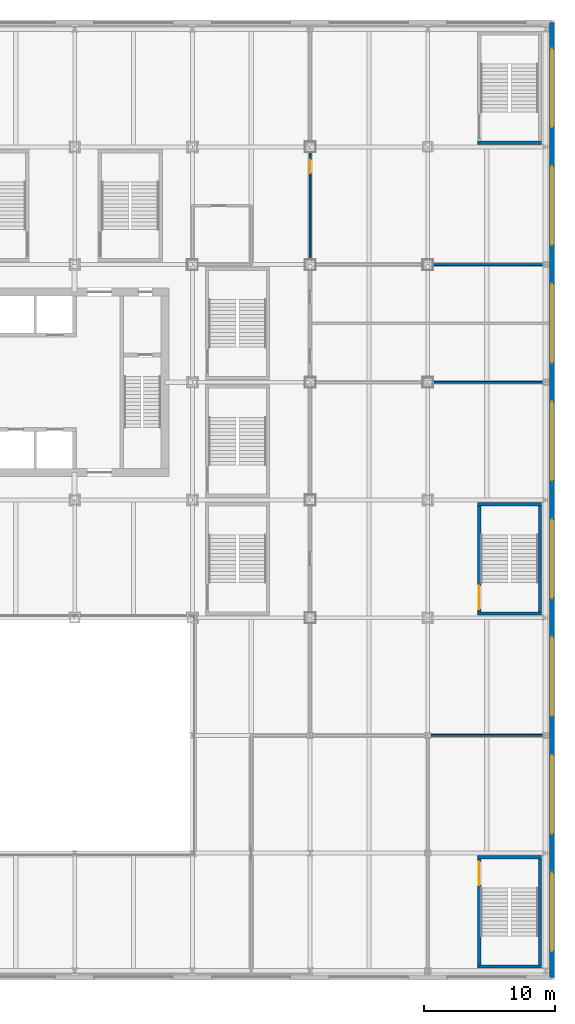
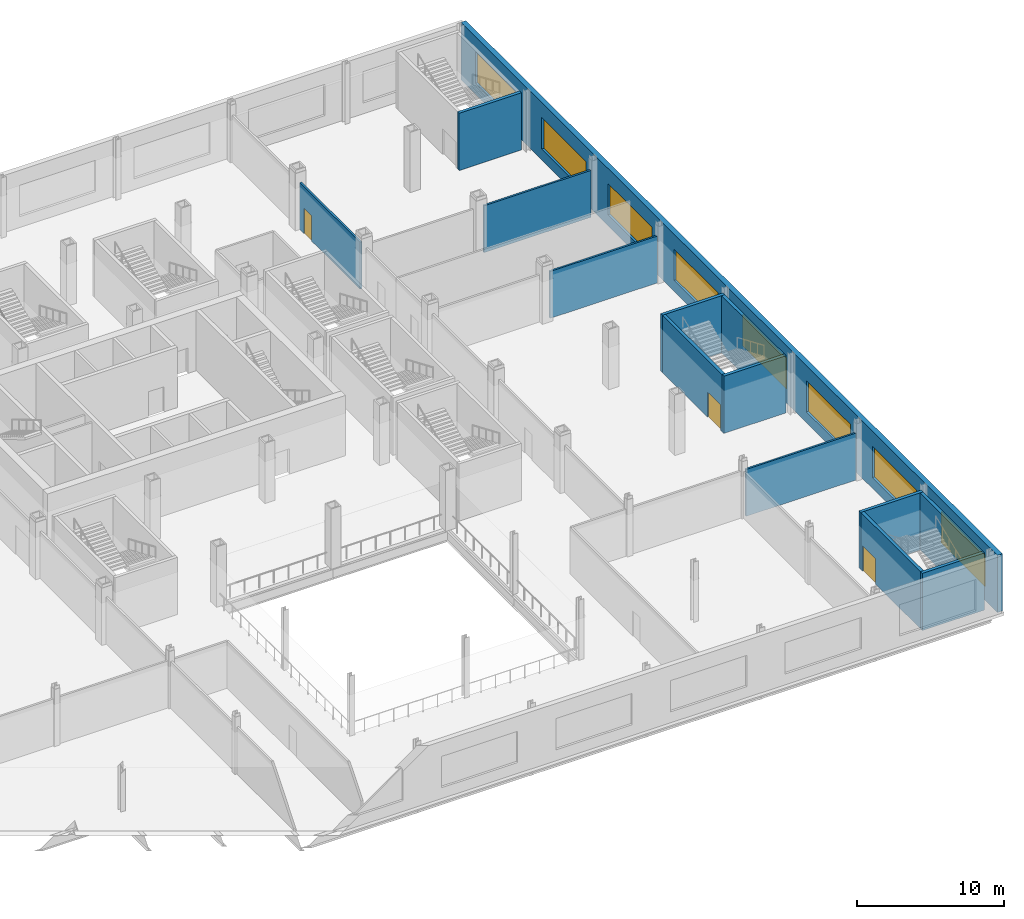
# One storey, part 14 of 31: 14 walls, 8 windows, 3 doors, 11 openings.
"""IFC4 building model written with IfcOpenShell, lengths in metres."""

from ifc_helpers import new_model, si_unit, direction, frame, frame_2d, origin, place, context, subcontext, project, spatial, rectangle, extrude, material, layer, layer_set, type_object, element, fill, save


model = new_model("IFC4")

# Units and contexts
model_context = context("Model", 3, precision=1e-05, world=origin(), true_north=direction((0.0, 1.0)))
body_context = subcontext(model_context, "Body", "Model", "MODEL_VIEW")
ifc_project = project(units=[si_unit("LENGTHUNIT", "METRE"), si_unit("AREAUNIT", "SQUARE_METRE"), si_unit("VOLUMEUNIT", "CUBIC_METRE"), si_unit("PLANEANGLEUNIT", "RADIAN"), si_unit("MASSUNIT", "GRAM", prefix="KILO")], contexts=[model_context])

# Site, building, storey
site_placement = place(None, origin())
site = spatial("IfcSite", under=ifc_project, at=site_placement, CompositionType="ELEMENT")
building_placement = place(site_placement, origin())
building = spatial("IfcBuilding", under=site, at=building_placement, Name="Loomwork Tower", CompositionType="ELEMENT")
storey_placement = place(building_placement, frame((0.0, 0.0, 11.0)))
storey = spatial("IfcBuildingStorey", under=building, at=storey_placement, Name="L02", CompositionType="ELEMENT", Elevation=11.0)

# Walls
ifc_material_1 = material(Name="Gypsum board on steel studs, one-hour", Category="steel")
ifc_layer_1 = layer(ifc_material_1, 0.14990234375)
ifc_layer_set_1 = layer_set([ifc_layer_1], Name="Partition 150")
wall_type_1 = type_object("IfcWallType", Name="Partition 150", PredefinedType="PARTITIONING", material=ifc_layer_set_1)
for number, where, z_axis, x_axis, name in (
    (1, (54.39990234375, 18.0, 0.0), (0.0, 0.0, 1.0), (1.0, 0.0, 0.0), "Partition L02 18.2"),
    (2, (54.39990234375, 27.0, 0.0), (0.0, 0.0, 1.0), (1.0, 0.0, 0.0), "Partition L02 22.2"),
):
    element("IfcWall", number, at=place(storey_placement, frame(where, z_axis=z_axis, x_axis=x_axis)), inside=storey, type_object=wall_type_1, Name=name, PredefinedType="PARTITIONING", context=body_context, shape_type="SweptSolid", body=[
        extrude(rectangle(XDim=8.412109375, YDim=0.14990234375, at=frame_2d((4.2060546875, 0.0))), origin(), (0.0, 0.0, 1.0), 3.8916015625),
    ])

# Wall, opening, door
wall_1_placement = place(storey_placement, frame((45.0, 27.39990234375, 0.0), z_axis=(0.0, 0.0, 1.0), x_axis=(0.0, 1.0, 0.0)))
wall_1 = element("IfcWall", 3, at=wall_1_placement, inside=storey, type_object=wall_type_1, Name="Partition L02 23.1", PredefinedType="PARTITIONING", context=body_context, shape_type="SweptSolid", body=[
    extrude(rectangle(XDim=8.2001953125, YDim=0.14990234375, at=frame_2d((4.10009765625, 0.0))), origin(), (0.0, 0.0, 1.0), 3.8916015625),
])
opening_1_placement = place(wall_1_placement, frame((6.60009765625, 0.0, 0.0)))
opening_1 = element("IfcOpeningElement", 4, at=opening_1_placement, cuts=wall_1, Name="Opening D15", PredefinedType="OPENING", context=body_context, shape_type="SweptSolid", body=[
    extrude(rectangle(XDim=1.0, YDim=2.10009765625, at=frame_2d((0.5, 1.050048828125))), frame((0.0, 0.0849609375, 0.0), z_axis=(0.0, -1.0, 0.0), x_axis=(1.0, 0.0, 0.0)), (0.0, 0.0, 1.0), 0.169921875),
])
ifc_material_2 = material(Name="Hollow metal door and frame")
door_type_1 = type_object("IfcDoorType", Name="Fire-rated room door 1000", OperationType="SINGLE_SWING_LEFT", PredefinedType="DOOR", material=ifc_material_2)
door_1_placement = place(opening_1_placement, frame((1.0, 0.0, 0.0), z_axis=(0.0, 0.0, 1.0), x_axis=(-1.0, 0.0, 0.0)))
door_1 = element("IfcDoor", 5, at=door_1_placement, inside=storey, type_object=door_type_1, Name="Conference plant room door", OperationType="SINGLE_SWING_RIGHT", OverallHeight=2.10009765625, OverallWidth=1.0, PredefinedType="DOOR", context=body_context, shape_type="SweptSolid", body=[
    extrude(rectangle(XDim=1.0, YDim=2.10009765625, at=frame_2d((0.5, 1.050048828125))), frame((0.0, 0.02490234375, 0.0), z_axis=(0.0, -1.0, 0.0), x_axis=(1.0, 0.0, 0.0)), (0.0, 0.0, 1.0), 0.050048828125),
])
fill(opening_1, door_1)

# Wall
wall_2_placement = place(storey_placement, frame((54.19677734375, -9.0, 0.0), z_axis=(0.0, 0.0, 1.0), x_axis=(1.0, 0.0, 0.0)))
element("IfcWall", 6, at=wall_2_placement, inside=storey, type_object=wall_type_1, Name="Partition L02 25.1", PredefinedType="PARTITIONING", context=body_context, shape_type="SweptSolid", body=[
    extrude(rectangle(XDim=8.615234375, YDim=0.14990234375, at=frame_2d((4.3076171875, 0.0))), origin(), (0.0, 0.0, 1.0), 3.8916015625),
])

# Wall, openings, windows
ifc_material_3 = material(Name="Limestone on concrete masonry", Category="masonry")
ifc_layer_2 = layer(ifc_material_3, 0.39990234375)
ifc_layer_set_2 = layer_set([ifc_layer_2], Name="Podium limestone wall 400")
wall_type_2 = type_object("IfcWallType", Name="Podium limestone wall 400", PredefinedType="SOLIDWALL", material=ifc_layer_set_2)
wall_3_placement = place(storey_placement, frame((63.5, -27.5, 0.0), z_axis=(0.0, 0.0, 1.0), x_axis=(0.0, 1.0, 0.0)))
wall_3 = element("IfcWall", 7, at=wall_3_placement, inside=storey, type_object=wall_type_2, Name="Podium stone wall E", PredefinedType="SOLIDWALL", context=body_context, shape_type="SweptSolid", body=[
    extrude(rectangle(XDim=73.0, YDim=0.39990234375, at=frame_2d((36.5, 0.0))), origin(), (0.0, 0.0, 1.0), 4.75),
])
opening_2_placement = place(wall_3_placement, frame((2.0, 0.0, 0.89990234375)))
opening_2 = element("IfcOpeningElement", 8, at=opening_2_placement, cuts=wall_3, Name="Opening CH3", PredefinedType="OPENING", context=body_context, shape_type="SweptSolid", body=[
    extrude(rectangle(XDim=6.0, YDim=2.60009765625, at=frame_2d((3.0, 1.300048828125))), frame((0.0, 0.2099609375, 0.0), z_axis=(0.0, -1.0, 0.0), x_axis=(1.0, 0.0, 0.0)), (0.0, 0.0, 1.0), 0.419921875),
])
opening_3_placement = place(wall_3_placement, frame((11.0, 0.0, 0.89990234375)))
opening_3 = element("IfcOpeningElement", 9, at=opening_3_placement, cuts=wall_3, Name="Opening CH3", PredefinedType="OPENING", context=body_context, shape_type="SweptSolid", body=[
    extrude(rectangle(XDim=6.0, YDim=2.60009765625, at=frame_2d((3.0, 1.300048828125))), frame((0.0, 0.2099609375, 0.0), z_axis=(0.0, -1.0, 0.0), x_axis=(1.0, 0.0, 0.0)), (0.0, 0.0, 1.0), 0.419921875),
])
opening_4_placement = place(wall_3_placement, frame((20.0, 0.0, 0.89990234375)))
opening_4 = element("IfcOpeningElement", 10, at=opening_4_placement, cuts=wall_3, Name="Opening CH3", PredefinedType="OPENING", context=body_context, shape_type="SweptSolid", body=[
    extrude(rectangle(XDim=6.0, YDim=2.60009765625, at=frame_2d((3.0, 1.300048828125))), frame((0.0, 0.2099609375, 0.0), z_axis=(0.0, -1.0, 0.0), x_axis=(1.0, 0.0, 0.0)), (0.0, 0.0, 1.0), 0.419921875),
])
opening_5_placement = place(wall_3_placement, frame((29.0, 0.0, 0.89990234375)))
opening_5 = element("IfcOpeningElement", 11, at=opening_5_placement, cuts=wall_3, Name="Opening CH3", PredefinedType="OPENING", context=body_context, shape_type="SweptSolid", body=[
    extrude(rectangle(XDim=6.0, YDim=2.60009765625, at=frame_2d((3.0, 1.300048828125))), frame((0.0, 0.2099609375, 0.0), z_axis=(0.0, -1.0, 0.0), x_axis=(1.0, 0.0, 0.0)), (0.0, 0.0, 1.0), 0.419921875),
])
opening_6_placement = place(wall_3_placement, frame((38.0, 0.0, 0.89990234375)))
opening_6 = element("IfcOpeningElement", 12, at=opening_6_placement, cuts=wall_3, Name="Opening CH3", PredefinedType="OPENING", context=body_context, shape_type="SweptSolid", body=[
    extrude(rectangle(XDim=6.0, YDim=2.60009765625, at=frame_2d((3.0, 1.300048828125))), frame((0.0, 0.2099609375, 0.0), z_axis=(0.0, -1.0, 0.0), x_axis=(1.0, 0.0, 0.0)), (0.0, 0.0, 1.0), 0.419921875),
])
opening_7_placement = place(wall_3_placement, frame((47.0, 0.0, 0.89990234375)))
opening_7 = element("IfcOpeningElement", 13, at=opening_7_placement, cuts=wall_3, Name="Opening CH3", PredefinedType="OPENING", context=body_context, shape_type="SweptSolid", body=[
    extrude(rectangle(XDim=6.0, YDim=2.60009765625, at=frame_2d((3.0, 1.300048828125))), frame((0.0, 0.2099609375, 0.0), z_axis=(0.0, -1.0, 0.0), x_axis=(1.0, 0.0, 0.0)), (0.0, 0.0, 1.0), 0.419921875),
])
opening_8_placement = place(wall_3_placement, frame((56.0, 0.0, 0.89990234375)))
opening_8 = element("IfcOpeningElement", 14, at=opening_8_placement, cuts=wall_3, Name="Opening CH3", PredefinedType="OPENING", context=body_context, shape_type="SweptSolid", body=[
    extrude(rectangle(XDim=6.0, YDim=2.60009765625, at=frame_2d((3.0, 1.300048828125))), frame((0.0, 0.2099609375, 0.0), z_axis=(0.0, -1.0, 0.0), x_axis=(1.0, 0.0, 0.0)), (0.0, 0.0, 1.0), 0.419921875),
])
opening_9_placement = place(wall_3_placement, frame((65.0, 0.0, 0.89990234375)))
opening_9 = element("IfcOpeningElement", 15, at=opening_9_placement, cuts=wall_3, Name="Opening CH3", PredefinedType="OPENING", context=body_context, shape_type="SweptSolid", body=[
    extrude(rectangle(XDim=6.0, YDim=2.60009765625, at=frame_2d((3.0, 1.300048828125))), frame((0.0, 0.2099609375, 0.0), z_axis=(0.0, -1.0, 0.0), x_axis=(1.0, 0.0, 0.0)), (0.0, 0.0, 1.0), 0.419921875),
])
ifc_material_4 = material(Name="Aluminium frame with clear insulated glass", Category="aluminium")
window_type = type_object("IfcWindowType", Name="Podium Chicago window 6000", PartitioningType="TRIPLE_PANEL_VERTICAL", PredefinedType="WINDOW", material=ifc_material_4)
window_1_placement = place(opening_2_placement, origin())
window_1 = element("IfcWindow", 16, at=window_1_placement, inside=storey, type_object=window_type, Name="Podium window E bay 1", OverallHeight=2.60009765625, OverallWidth=6.0, PartitioningType="TRIPLE_PANEL_VERTICAL", PredefinedType="WINDOW", context=body_context, shape_type="SweptSolid", body=[
    extrude(rectangle(XDim=6.0, YDim=2.60009765625, at=frame_2d((3.0, 1.300048828125))), frame((0.0, 0.030029296875, 0.0), z_axis=(0.0, -1.0, 0.0), x_axis=(1.0, 0.0, 0.0)), (0.0, 0.0, 1.0), 0.06005859375),
])
fill(opening_2, window_1)
window_2_placement = place(opening_3_placement, origin())
window_2 = element("IfcWindow", 17, at=window_2_placement, inside=storey, type_object=window_type, Name="Podium window E bay 2", OverallHeight=2.60009765625, OverallWidth=6.0, PartitioningType="TRIPLE_PANEL_VERTICAL", PredefinedType="WINDOW", context=body_context, shape_type="SweptSolid", body=[
    extrude(rectangle(XDim=6.0, YDim=2.60009765625, at=frame_2d((3.0, 1.300048828125))), frame((0.0, 0.030029296875, 0.0), z_axis=(0.0, -1.0, 0.0), x_axis=(1.0, 0.0, 0.0)), (0.0, 0.0, 1.0), 0.06005859375),
])
fill(opening_3, window_2)
window_3_placement = place(opening_4_placement, origin())
window_3 = element("IfcWindow", 18, at=window_3_placement, inside=storey, type_object=window_type, Name="Podium window E bay 3", OverallHeight=2.60009765625, OverallWidth=6.0, PartitioningType="TRIPLE_PANEL_VERTICAL", PredefinedType="WINDOW", context=body_context, shape_type="SweptSolid", body=[
    extrude(rectangle(XDim=6.0, YDim=2.60009765625, at=frame_2d((3.0, 1.300048828125))), frame((0.0, 0.030029296875, 0.0), z_axis=(0.0, -1.0, 0.0), x_axis=(1.0, 0.0, 0.0)), (0.0, 0.0, 1.0), 0.06005859375),
])
fill(opening_4, window_3)
window_4_placement = place(opening_5_placement, origin())
window_4 = element("IfcWindow", 19, at=window_4_placement, inside=storey, type_object=window_type, Name="Podium window E bay 4", OverallHeight=2.60009765625, OverallWidth=6.0, PartitioningType="TRIPLE_PANEL_VERTICAL", PredefinedType="WINDOW", context=body_context, shape_type="SweptSolid", body=[
    extrude(rectangle(XDim=6.0, YDim=2.60009765625, at=frame_2d((3.0, 1.300048828125))), frame((0.0, 0.030029296875, 0.0), z_axis=(0.0, -1.0, 0.0), x_axis=(1.0, 0.0, 0.0)), (0.0, 0.0, 1.0), 0.06005859375),
])
fill(opening_5, window_4)
window_5_placement = place(opening_6_placement, origin())
window_5 = element("IfcWindow", 20, at=window_5_placement, inside=storey, type_object=window_type, Name="Podium window E bay 5", OverallHeight=2.60009765625, OverallWidth=6.0, PartitioningType="TRIPLE_PANEL_VERTICAL", PredefinedType="WINDOW", context=body_context, shape_type="SweptSolid", body=[
    extrude(rectangle(XDim=6.0, YDim=2.60009765625, at=frame_2d((3.0, 1.300048828125))), frame((0.0, 0.030029296875, 0.0), z_axis=(0.0, -1.0, 0.0), x_axis=(1.0, 0.0, 0.0)), (0.0, 0.0, 1.0), 0.06005859375),
])
fill(opening_6, window_5)
window_6_placement = place(opening_7_placement, origin())
window_6 = element("IfcWindow", 21, at=window_6_placement, inside=storey, type_object=window_type, Name="Podium window E bay 6", OverallHeight=2.60009765625, OverallWidth=6.0, PartitioningType="TRIPLE_PANEL_VERTICAL", PredefinedType="WINDOW", context=body_context, shape_type="SweptSolid", body=[
    extrude(rectangle(XDim=6.0, YDim=2.60009765625, at=frame_2d((3.0, 1.300048828125))), frame((0.0, 0.030029296875, 0.0), z_axis=(0.0, -1.0, 0.0), x_axis=(1.0, 0.0, 0.0)), (0.0, 0.0, 1.0), 0.06005859375),
])
fill(opening_7, window_6)
window_7_placement = place(opening_8_placement, origin())
window_7 = element("IfcWindow", 22, at=window_7_placement, inside=storey, type_object=window_type, Name="Podium window E bay 7", OverallHeight=2.60009765625, OverallWidth=6.0, PartitioningType="TRIPLE_PANEL_VERTICAL", PredefinedType="WINDOW", context=body_context, shape_type="SweptSolid", body=[
    extrude(rectangle(XDim=6.0, YDim=2.60009765625, at=frame_2d((3.0, 1.300048828125))), frame((0.0, 0.030029296875, 0.0), z_axis=(0.0, -1.0, 0.0), x_axis=(1.0, 0.0, 0.0)), (0.0, 0.0, 1.0), 0.06005859375),
])
fill(opening_8, window_7)
window_8_placement = place(opening_9_placement, origin())
window_8 = element("IfcWindow", 23, at=window_8_placement, inside=storey, type_object=window_type, Name="Podium window E bay 8", OverallHeight=2.60009765625, OverallWidth=6.0, PartitioningType="TRIPLE_PANEL_VERTICAL", PredefinedType="WINDOW", context=body_context, shape_type="SweptSolid", body=[
    extrude(rectangle(XDim=6.0, YDim=2.60009765625, at=frame_2d((3.0, 1.300048828125))), frame((0.0, 0.030029296875, 0.0), z_axis=(0.0, -1.0, 0.0), x_axis=(1.0, 0.0, 0.0)), (0.0, 0.0, 1.0), 0.06005859375),
])
fill(opening_9, window_8)

# Walls
ifc_material_5 = material(Name="Concrete masonry, two-hour", Category="masonry")
ifc_layer_3 = layer(ifc_material_5, 0.25)
ifc_layer_set_3 = layer_set([ifc_layer_3], Name="Stair enclosure wall 250")
wall_type_3 = type_object("IfcWallType", Name="Stair enclosure wall 250", PredefinedType="SOLIDWALL", material=ifc_layer_set_3)
for number, where, z_axis, x_axis, name in (
    (24, (57.800048828125, -26.675048828125, 0.0), (0.0, 0.0, 1.0), (1.0, 0.0, 0.0), "Stair PS2 enclosure wall S L02"),
    (25, (57.800048828125, -18.324951171875, 0.0), (0.0, 0.0, 1.0), (1.0, 0.0, 0.0), "Stair PS2 enclosure wall N L02"),
):
    element("IfcWall", number, at=place(storey_placement, frame(where, z_axis=z_axis, x_axis=x_axis)), inside=storey, type_object=wall_type_3, Name=name, PredefinedType="SOLIDWALL", context=body_context, shape_type="SweptSolid", body=[
        extrude(rectangle(XDim=4.89990234375, YDim=0.25, at=frame_2d((2.449951171875, 0.0))), origin(), (0.0, 0.0, 1.0), 4.75),
    ])

# Wall, opening, door
wall_4_placement = place(storey_placement, frame((57.925048828125, -26.550048828125, 0.0), z_axis=(0.0, 0.0, 1.0), x_axis=(0.0, 1.0, 0.0)))
wall_4 = element("IfcWall", 26, at=wall_4_placement, inside=storey, type_object=wall_type_3, Name="Stair PS2 enclosure wall W L02", PredefinedType="SOLIDWALL", context=body_context, shape_type="SweptSolid", body=[
    extrude(rectangle(XDim=8.10009765625, YDim=0.25, at=frame_2d((4.050048828125, 0.0))), origin(), (0.0, 0.0, 1.0), 4.75),
])
opening_10_placement = place(wall_4_placement, frame((6.10009765625, 0.0, 0.0)))
opening_10 = element("IfcOpeningElement", 27, at=opening_10_placement, cuts=wall_4, Name="Opening D14", PredefinedType="OPENING", context=body_context, shape_type="SweptSolid", body=[
    extrude(rectangle(XDim=1.800048828125, YDim=2.10009765625, at=frame_2d((0.89990234375, 1.050048828125))), frame((0.0, 0.135009765625, 0.0), z_axis=(0.0, -1.0, 0.0), x_axis=(1.0, 0.0, 0.0)), (0.0, 0.0, 1.0), 0.27001953125),
])
ifc_material_6 = material(Name="Hollow metal door and frame")
door_type_2 = type_object("IfcDoorType", Name="Stair double door 1800", OperationType="DOUBLE_DOOR_SINGLE_SWING", PredefinedType="DOOR", material=ifc_material_6)
door_2_placement = place(opening_10_placement, frame((1.800048828125, 0.0, 0.0), z_axis=(0.0, 0.0, 1.0), x_axis=(-1.0, 0.0, 0.0)))
door_2 = element("IfcDoor", 28, at=door_2_placement, inside=storey, type_object=door_type_2, Name="Stair PS2 door L02", OperationType="DOUBLE_DOOR_SINGLE_SWING", OverallHeight=2.10009765625, OverallWidth=1.800048828125, PredefinedType="DOOR", context=body_context, shape_type="SweptSolid", body=[
    extrude(rectangle(XDim=1.800048828125, YDim=2.10009765625, at=frame_2d((0.89990234375, 1.050048828125))), frame((0.0, 0.02490234375, 0.0), z_axis=(0.0, -1.0, 0.0), x_axis=(1.0, 0.0, 0.0)), (0.0, 0.0, 1.0), 0.050048828125),
])
fill(opening_10, door_2)

# Walls
wall_5_placement = place(storey_placement, frame((62.574951171875, -26.550048828125, 0.0), z_axis=(0.0, 0.0, 1.0), x_axis=(0.0, 1.0, 0.0)))
element("IfcWall", 29, at=wall_5_placement, inside=storey, type_object=wall_type_3, Name="Stair PS2 enclosure wall E L02", PredefinedType="SOLIDWALL", context=body_context, shape_type="SweptSolid", body=[
    extrude(rectangle(XDim=8.10009765625, YDim=0.25, at=frame_2d((4.050048828125, 0.0))), origin(), (0.0, 0.0, 1.0), 4.75),
])
for number, where, z_axis, x_axis, name in (
    (30, (57.800048828125, 36.324951171875, 0.0), (0.0, 0.0, 1.0), (1.0, 0.0, 0.0), "Stair PS4 enclosure wall S L02"),
    (31, (57.800048828125, 0.324951171875, 0.0), (0.0, 0.0, 1.0), (1.0, 0.0, 0.0), "Stair PS6 enclosure wall S L02"),
    (32, (57.800048828125, 8.675048828125, 0.0), (0.0, 0.0, 1.0), (1.0, 0.0, 0.0), "Stair PS6 enclosure wall N L02"),
):
    element("IfcWall", number, at=place(storey_placement, frame(where, z_axis=z_axis, x_axis=x_axis)), inside=storey, type_object=wall_type_3, Name=name, PredefinedType="SOLIDWALL", context=body_context, shape_type="SweptSolid", body=[
        extrude(rectangle(XDim=4.89990234375, YDim=0.25, at=frame_2d((2.449951171875, 0.0))), origin(), (0.0, 0.0, 1.0), 4.75),
    ])

# Wall, opening, door
wall_6_placement = place(storey_placement, frame((57.925048828125, 0.449951171875, 0.0), z_axis=(0.0, 0.0, 1.0), x_axis=(0.0, 1.0, 0.0)))
wall_6 = element("IfcWall", 33, at=wall_6_placement, inside=storey, type_object=wall_type_3, Name="Stair PS6 enclosure wall W L02", PredefinedType="SOLIDWALL", context=body_context, shape_type="SweptSolid", body=[
    extrude(rectangle(XDim=8.10009765625, YDim=0.25, at=frame_2d((4.050048828125, 0.0))), origin(), (0.0, 0.0, 1.0), 4.75),
])
opening_11_placement = place(wall_6_placement, frame((0.199951171875, 0.0, 0.0)))
opening_11 = element("IfcOpeningElement", 34, at=opening_11_placement, cuts=wall_6, Name="Opening D14", PredefinedType="OPENING", context=body_context, shape_type="SweptSolid", body=[
    extrude(rectangle(XDim=1.800048828125, YDim=2.10009765625, at=frame_2d((0.89990234375, 1.050048828125))), frame((0.0, 0.135009765625, 0.0), z_axis=(0.0, -1.0, 0.0), x_axis=(1.0, 0.0, 0.0)), (0.0, 0.0, 1.0), 0.27001953125),
])
door_3_placement = place(opening_11_placement, frame((1.800048828125, 0.0, 0.0), z_axis=(0.0, 0.0, 1.0), x_axis=(-1.0, 0.0, 0.0)))
door_3 = element("IfcDoor", 35, at=door_3_placement, inside=storey, type_object=door_type_2, Name="Stair PS6 door L02", OperationType="DOUBLE_DOOR_SINGLE_SWING", OverallHeight=2.10009765625, OverallWidth=1.800048828125, PredefinedType="DOOR", context=body_context, shape_type="SweptSolid", body=[
    extrude(rectangle(XDim=1.800048828125, YDim=2.10009765625, at=frame_2d((0.89990234375, 1.050048828125))), frame((0.0, 0.02490234375, 0.0), z_axis=(0.0, -1.0, 0.0), x_axis=(1.0, 0.0, 0.0)), (0.0, 0.0, 1.0), 0.050048828125),
])
fill(opening_11, door_3)

# Wall
wall_7_placement = place(storey_placement, frame((62.574951171875, 0.449951171875, 0.0), z_axis=(0.0, 0.0, 1.0), x_axis=(0.0, 1.0, 0.0)))
element("IfcWall", 36, at=wall_7_placement, inside=storey, type_object=wall_type_3, Name="Stair PS6 enclosure wall E L02", PredefinedType="SOLIDWALL", context=body_context, shape_type="SweptSolid", body=[
    extrude(rectangle(XDim=8.10009765625, YDim=0.25, at=frame_2d((4.050048828125, 0.0))), origin(), (0.0, 0.0, 1.0), 4.75),
])

save(model, "model.ifc")
